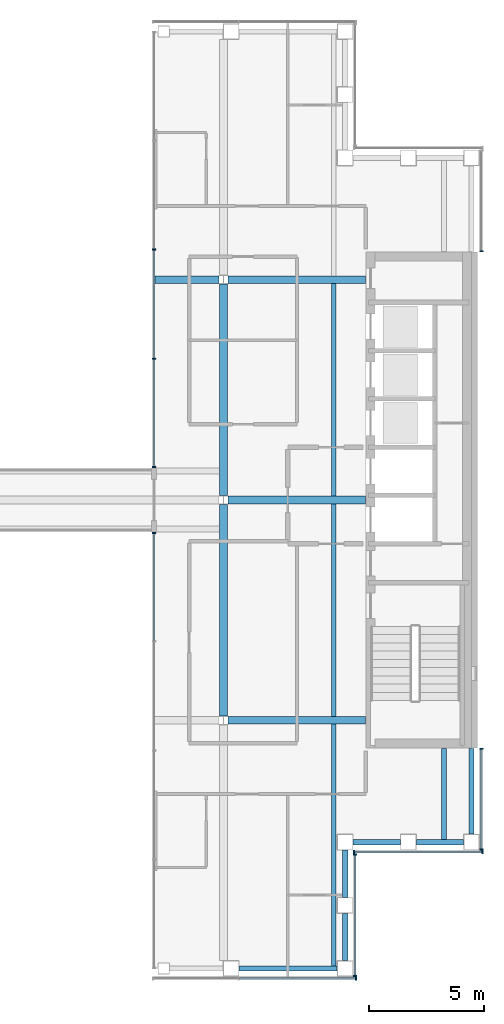
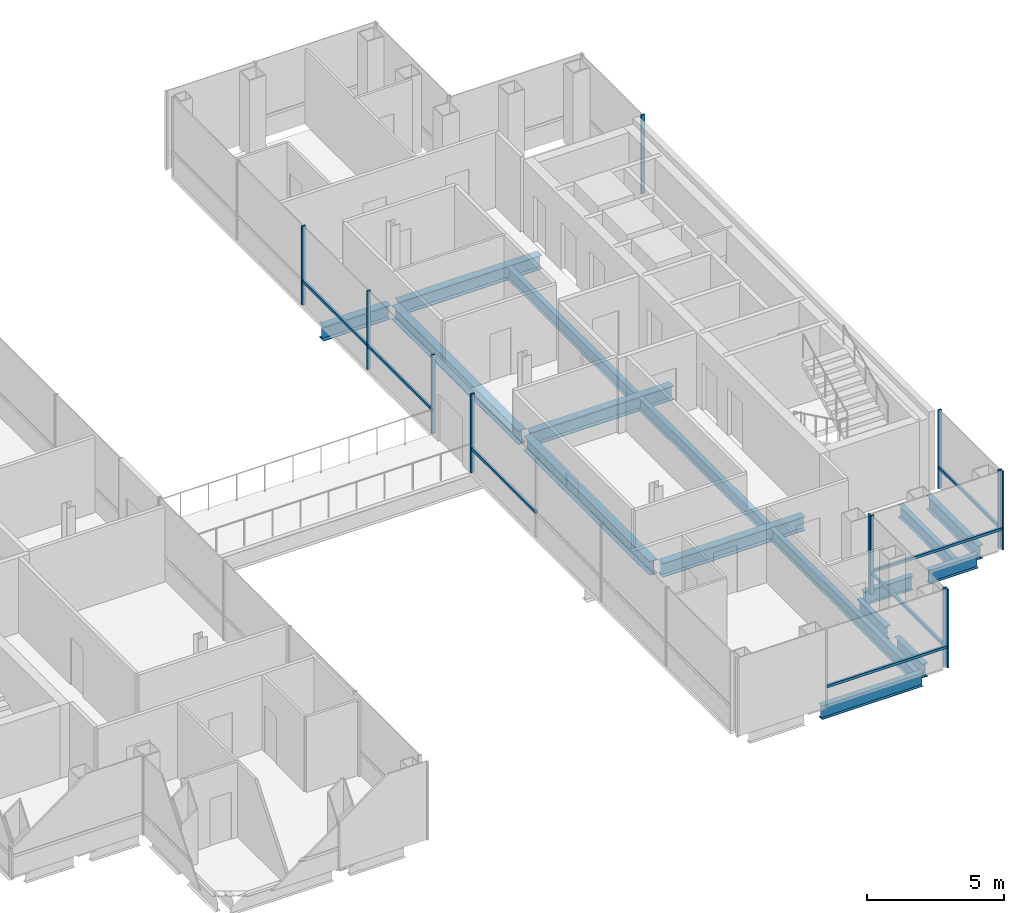
# One storey, part 6 of 15: 19 members, 16 beams, 7 elements without a shape of their own.
"""IFC4 building model written with IfcOpenShell, lengths in metres."""

from ifc_helpers import new_model, si_unit, direction, frame, origin, origin_2d, place, context, subcontext, project, spatial, rectangle, i_section, extrude, material, material_profile, profile_set, type_object, element, aggregate, save


model = new_model("IFC4")

# Units and contexts
model_context = context("Model", 3, precision=1e-05, world=origin(), true_north=direction((0.0, 1.0)))
body_context = subcontext(model_context, "Body", "Model", "MODEL_VIEW")
ifc_project = project(units=[si_unit("LENGTHUNIT", "METRE"), si_unit("AREAUNIT", "SQUARE_METRE"), si_unit("VOLUMEUNIT", "CUBIC_METRE"), si_unit("PLANEANGLEUNIT", "RADIAN"), si_unit("MASSUNIT", "GRAM", prefix="KILO")], contexts=[model_context])

# Site, building, storey
site_placement = place(None, origin())
site = spatial("IfcSite", under=ifc_project, at=site_placement, CompositionType="ELEMENT")
building_placement = place(site_placement, origin())
building = spatial("IfcBuilding", under=site, at=building_placement, Name="Cobrizo Arcos Hotel Tower", CompositionType="ELEMENT")
storey_placement = place(building_placement, frame((0.0, 0.0, 222.5)))
storey = spatial("IfcBuildingStorey", under=building, at=storey_placement, Name="L58", CompositionType="ELEMENT", Elevation=222.5)

# Curtain wall, member
ifc_material_1 = material(Name="Aluminium 6063-T6 anodised bronze", Category="aluminium")
curtain_wall_type_1 = type_object("IfcCurtainWallType", Name="CW-A guest facade", PredefinedType="NOTDEFINED", material=ifc_material_1)
curtain_wall_1_placement = place(storey_placement, origin())
curtain_wall_1 = element("IfcCurtainWall", 1, at=curtain_wall_1_placement, inside=storey, type_object=curtain_wall_type_1, Name="CW-A L58 S face", PredefinedType="NOTDEFINED")
ifc_material_profile_1 = material_profile(ifc_material_1, rectangle(XDim=0.14990234375, YDim=0.06005859375, at=origin_2d()), Name="CW-A mullion 150x60")
ifc_profile_set_1 = profile_set([ifc_material_profile_1], Name="Aluminium 6063-T6 anodised bronze")
member_type_1 = type_object("IfcMemberType", Name="CW-A mullion 150x60", PredefinedType="MULLION", material=ifc_profile_set_1)
member_1_placement = place(storey_placement, frame((15.3701171875, -20.824951171875, 0.0), z_axis=(0.0, 0.0, 1.0), x_axis=(0.0, -1.0, 0.0)))
member_1 = element("IfcMember", 2, at=member_1_placement, type_object=member_type_1, Name="CW-A mullion 3", PredefinedType="MULLION", context=body_context, shape_type="SweptSolid", body=[
    extrude(rectangle(XDim=0.14990234375, YDim=0.06005859375, at=origin_2d()), origin(), (0.0, 0.0, 1.0), 3.5),
])

# Curtain wall, members
curtain_wall_2_placement = place(storey_placement, origin())
curtain_wall_2 = element("IfcCurtainWall", 3, at=curtain_wall_2_placement, inside=storey, type_object=curtain_wall_type_1, Name="CW-A L58 E face", PredefinedType="NOTDEFINED")
member_2_placement = place(storey_placement, frame((15.324951171875, -20.719970703125, 0.0), z_axis=(0.0, 0.0, 1.0), x_axis=(1.0, 0.0, 0.0)))
member_2 = element("IfcMember", 4, at=member_2_placement, type_object=member_type_1, Name="CW-A mullion 1", PredefinedType="MULLION", context=body_context, shape_type="SweptSolid", body=[
    extrude(rectangle(XDim=0.14990234375, YDim=0.06005859375, at=origin_2d()), origin(), (0.0, 0.0, 1.0), 3.5),
])
member_3_placement = place(storey_placement, frame((15.324951171875, -15.429931640625, 0.0), z_axis=(0.0, 0.0, 1.0), x_axis=(1.0, 0.0, 0.0)))
member_3 = element("IfcMember", 5, at=member_3_placement, type_object=member_type_1, Name="CW-A mullion 2", PredefinedType="MULLION", context=body_context, shape_type="SweptSolid", body=[
    extrude(rectangle(XDim=0.14990234375, YDim=0.06005859375, at=origin_2d()), origin(), (0.0, 0.0, 1.0), 3.5),
])

curtain_wall_3_placement = place(storey_placement, origin())
curtain_wall_3 = element("IfcCurtainWall", 6, at=curtain_wall_3_placement, inside=storey, type_object=curtain_wall_type_1, Name="CW-A L58 S face", PredefinedType="NOTDEFINED")
member_4_placement = place(storey_placement, frame((15.280029296875, -15.324951171875, 0.0), z_axis=(0.0, 0.0, 1.0), x_axis=(0.0, -1.0, 0.0)))
member_4 = element("IfcMember", 7, at=member_4_placement, type_object=member_type_1, Name="CW-A mullion 1", PredefinedType="MULLION", context=body_context, shape_type="SweptSolid", body=[
    extrude(rectangle(XDim=0.14990234375, YDim=0.06005859375, at=origin_2d()), origin(), (0.0, 0.0, 1.0), 3.5),
])
member_5_placement = place(storey_placement, frame((20.8701171875, -15.324951171875, 0.0), z_axis=(0.0, 0.0, 1.0), x_axis=(0.0, -1.0, 0.0)))
member_5 = element("IfcMember", 8, at=member_5_placement, type_object=member_type_1, Name="CW-A mullion 2", PredefinedType="MULLION", context=body_context, shape_type="SweptSolid", body=[
    extrude(rectangle(XDim=0.14990234375, YDim=0.06005859375, at=origin_2d()), origin(), (0.0, 0.0, 1.0), 3.5),
])

curtain_wall_4_placement = place(storey_placement, origin())
curtain_wall_4 = element("IfcCurtainWall", 9, at=curtain_wall_4_placement, inside=storey, type_object=curtain_wall_type_1, Name="CW-A L58 E face", PredefinedType="NOTDEFINED")
member_6_placement = place(storey_placement, frame((20.824951171875, -15.219970703125, 0.0), z_axis=(0.0, 0.0, 1.0), x_axis=(1.0, 0.0, 0.0)))
member_6 = element("IfcMember", 10, at=member_6_placement, type_object=member_type_1, Name="CW-A mullion 1", PredefinedType="MULLION", context=body_context, shape_type="SweptSolid", body=[
    extrude(rectangle(XDim=0.14990234375, YDim=0.06005859375, at=origin_2d()), origin(), (0.0, 0.0, 1.0), 3.5),
])
member_7_placement = place(storey_placement, frame((20.824951171875, -10.830078125, 0.0), z_axis=(0.0, 0.0, 1.0), x_axis=(1.0, 0.0, 0.0)))
member_7 = element("IfcMember", 11, at=member_7_placement, type_object=member_type_1, Name="CW-A mullion 2", PredefinedType="MULLION", context=body_context, shape_type="SweptSolid", body=[
    extrude(rectangle(XDim=0.14990234375, YDim=0.06005859375, at=origin_2d()), origin(), (0.0, 0.0, 1.0), 3.5),
])

# Curtain wall, member
curtain_wall_5_placement = place(storey_placement, origin())
curtain_wall_5 = element("IfcCurtainWall", 12, at=curtain_wall_5_placement, inside=storey, type_object=curtain_wall_type_1, Name="CW-A L58 E face", PredefinedType="NOTDEFINED")
member_8_placement = place(storey_placement, frame((20.824951171875, 10.830078125, 0.0), z_axis=(0.0, 0.0, 1.0), x_axis=(1.0, 0.0, 0.0)))
member_8 = element("IfcMember", 13, at=member_8_placement, type_object=member_type_1, Name="CW-A mullion 1", PredefinedType="MULLION", context=body_context, shape_type="SweptSolid", body=[
    extrude(rectangle(XDim=0.14990234375, YDim=0.06005859375, at=origin_2d()), origin(), (0.0, 0.0, 1.0), 3.5),
])
aggregate(curtain_wall_5, [member_8])

# Member
ifc_material_profile_2 = material_profile(ifc_material_1, rectangle(XDim=0.10009765625, YDim=0.1201171875, at=origin_2d()), Name="CW-A transom 120x100")
ifc_profile_set_2 = profile_set([ifc_material_profile_2], Name="Aluminium 6063-T6 anodised bronze")
member_type_2 = type_object("IfcMemberType", Name="CW-A transom 120x100", PredefinedType="USERDEFINED", material=ifc_profile_set_2)
member_9_placement = place(storey_placement, frame((10.296630859375, -20.824951171875, 0.929931640625), z_axis=(1.0, 0.0, 0.0), x_axis=(0.0, 1.0, 0.0)))
member_9 = element("IfcMember", 14, at=member_9_placement, type_object=member_type_2, Name="CW-A transom 1911", ObjectType="TRANSOM", PredefinedType="USERDEFINED", context=body_context, shape_type="SweptSolid", body=[
    extrude(rectangle(XDim=0.10009765625, YDim=0.1201171875, at=origin_2d()), origin(), (0.0, 0.0, 1.0), 5.04345703125),
])

aggregate(curtain_wall_1, [member_1, member_9])

member_10_placement = place(storey_placement, frame((15.324951171875, -20.68994140625, 0.929931640625), z_axis=(0.0, 1.0, 0.0), x_axis=(-1.0, 0.0, 0.0)))
member_10 = element("IfcMember", 15, at=member_10_placement, type_object=member_type_2, Name="CW-A transom 1912", ObjectType="TRANSOM", PredefinedType="USERDEFINED", context=body_context, shape_type="SweptSolid", body=[
    extrude(rectangle(XDim=0.10009765625, YDim=0.1201171875, at=origin_2d()), origin(), (0.0, 0.0, 1.0), 5.22998046875),
])

aggregate(curtain_wall_2, [member_2, member_3, member_10])

member_11_placement = place(storey_placement, frame((15.31005859375, -15.324951171875, 0.929931640625), z_axis=(1.0, 0.0, 0.0), x_axis=(0.0, 1.0, 0.0)))
member_11 = element("IfcMember", 16, at=member_11_placement, type_object=member_type_2, Name="CW-A transom 1913", ObjectType="TRANSOM", PredefinedType="USERDEFINED", context=body_context, shape_type="SweptSolid", body=[
    extrude(rectangle(XDim=0.10009765625, YDim=0.1201171875, at=origin_2d()), origin(), (0.0, 0.0, 1.0), 5.530029296875),
])

aggregate(curtain_wall_3, [member_4, member_5, member_11])

member_12_placement = place(storey_placement, frame((20.824951171875, -15.18994140625, 0.929931640625), z_axis=(0.0, 1.0, 0.0), x_axis=(-1.0, 0.0, 0.0)))
member_12 = element("IfcMember", 17, at=member_12_placement, type_object=member_type_2, Name="CW-A transom 1914", ObjectType="TRANSOM", PredefinedType="USERDEFINED", context=body_context, shape_type="SweptSolid", body=[
    extrude(rectangle(XDim=0.10009765625, YDim=0.1201171875, at=origin_2d()), origin(), (0.0, 0.0, 1.0), 4.329833984375),
])

aggregate(curtain_wall_4, [member_6, member_7, member_12])

# Curtain wall, member
curtain_wall_type_2 = type_object("IfcCurtainWallType", Name="CW-F void screen", PredefinedType="NOTDEFINED", material=ifc_material_1)
curtain_wall_6_placement = place(storey_placement, origin())
curtain_wall_6 = element("IfcCurtainWall", 18, at=curtain_wall_6_placement, inside=storey, type_object=curtain_wall_type_2, Name="CW-F L58 void screen C", PredefinedType="NOTDEFINED")
ifc_material_profile_3 = material_profile(ifc_material_1, rectangle(XDim=0.14990234375, YDim=0.06005859375, at=origin_2d()), Name="CW-F mullion 150x60")
ifc_profile_set_3 = profile_set([ifc_material_profile_3], Name="Aluminium 6063-T6 anodised bronze")
member_type_3 = type_object("IfcMemberType", Name="CW-F mullion 150x60", PredefinedType="MULLION", material=ifc_profile_set_3)
member_13_placement = place(storey_placement, frame((6.574951171875, -1.429931640625, 0.0), z_axis=(0.0, 0.0, 1.0), x_axis=(1.0, 0.0, 0.0)))
member_13 = element("IfcMember", 19, at=member_13_placement, type_object=member_type_3, Name="CW-F mullion 5", PredefinedType="MULLION", context=body_context, shape_type="SweptSolid", body=[
    extrude(rectangle(XDim=0.14990234375, YDim=0.06005859375, at=origin_2d()), origin(), (0.0, 0.0, 1.0), 3.5),
])

# Curtain wall, members
curtain_wall_7_placement = place(storey_placement, origin())
curtain_wall_7 = element("IfcCurtainWall", 20, at=curtain_wall_7_placement, inside=storey, type_object=curtain_wall_type_2, Name="CW-F L58 void screen C", PredefinedType="NOTDEFINED")
member_14_placement = place(storey_placement, frame((6.574951171875, 1.429931640625, 0.0), z_axis=(0.0, 0.0, 1.0), x_axis=(1.0, 0.0, 0.0)))
member_14 = element("IfcMember", 21, at=member_14_placement, type_object=member_type_3, Name="CW-F mullion 1", PredefinedType="MULLION", context=body_context, shape_type="SweptSolid", body=[
    extrude(rectangle(XDim=0.14990234375, YDim=0.06005859375, at=origin_2d()), origin(), (0.0, 0.0, 1.0), 3.5),
])
member_15_placement = place(storey_placement, frame((6.574951171875, 6.14990234375, 0.0), z_axis=(0.0, 0.0, 1.0), x_axis=(1.0, 0.0, 0.0)))
member_15 = element("IfcMember", 22, at=member_15_placement, type_object=member_type_3, Name="CW-F mullion 2", PredefinedType="MULLION", context=body_context, shape_type="SweptSolid", body=[
    extrude(rectangle(XDim=0.14990234375, YDim=0.06005859375, at=origin_2d()), origin(), (0.0, 0.0, 1.0), 3.5),
])
member_16_placement = place(storey_placement, frame((6.574951171875, 10.89990234375, 0.0), z_axis=(0.0, 0.0, 1.0), x_axis=(1.0, 0.0, 0.0)))
member_16 = element("IfcMember", 23, at=member_16_placement, type_object=member_type_3, Name="CW-F mullion 3", PredefinedType="MULLION", context=body_context, shape_type="SweptSolid", body=[
    extrude(rectangle(XDim=0.14990234375, YDim=0.06005859375, at=origin_2d()), origin(), (0.0, 0.0, 1.0), 3.5),
])

# Member
ifc_material_profile_4 = material_profile(ifc_material_1, rectangle(XDim=0.10009765625, YDim=0.1201171875, at=origin_2d()), Name="CW-F transom 120x100")
ifc_profile_set_4 = profile_set([ifc_material_profile_4], Name="Aluminium 6063-T6 anodised bronze")
member_type_4 = type_object("IfcMemberType", Name="CW-F transom 120x100", PredefinedType="USERDEFINED", material=ifc_profile_set_4)
member_17_placement = place(storey_placement, frame((6.574951171875, -6.1201171875, 1.050048828125), z_axis=(0.0, 1.0, 0.0), x_axis=(-1.0, 0.0, 0.0)))
member_17 = element("IfcMember", 24, at=member_17_placement, type_object=member_type_4, Name="CW-F transom 2703", ObjectType="TRANSOM", PredefinedType="USERDEFINED", context=body_context, shape_type="SweptSolid", body=[
    extrude(rectangle(XDim=0.10009765625, YDim=0.1201171875, at=origin_2d()), origin(), (0.0, 0.0, 1.0), 4.66015625),
])

aggregate(curtain_wall_6, [member_13, member_17])

member_18_placement = place(storey_placement, frame((6.574951171875, 1.4599609375, 1.050048828125), z_axis=(0.0, 1.0, 0.0), x_axis=(-1.0, 0.0, 0.0)))
member_18 = element("IfcMember", 25, at=member_18_placement, type_object=member_type_4, Name="CW-F transom 2704", ObjectType="TRANSOM", PredefinedType="USERDEFINED", context=body_context, shape_type="SweptSolid", body=[
    extrude(rectangle(XDim=0.10009765625, YDim=0.1201171875, at=origin_2d()), origin(), (0.0, 0.0, 1.0), 4.66015625),
])

member_19_placement = place(storey_placement, frame((6.574951171875, 6.179931640625, 1.050048828125), z_axis=(0.0, 1.0, 0.0), x_axis=(-1.0, 0.0, 0.0)))
member_19 = element("IfcMember", 26, at=member_19_placement, type_object=member_type_4, Name="CW-F transom 2705", ObjectType="TRANSOM", PredefinedType="USERDEFINED", context=body_context, shape_type="SweptSolid", body=[
    extrude(rectangle(XDim=0.10009765625, YDim=0.1201171875, at=origin_2d()), origin(), (0.0, 0.0, 1.0), 4.690185546875),
])

aggregate(curtain_wall_7, [member_14, member_15, member_16, member_18, member_19])

# Beams
ifc_material_2 = material(Name="Steel ASTM A992 Grade 50", Category="steel")
ifc_material_profile_5 = material_profile(ifc_material_2, i_section(OverallWidth=0.209228515625, OverallDepth=0.533447265625, WebThickness=0.01025390625, FlangeThickness=0.015625, at=origin_2d()), Name="W21X62")
ifc_profile_set_5 = profile_set([ifc_material_profile_5], Name="Steel ASTM A992 Grade 50")
beam_type_1 = type_object("IfcBeamType", Name="W21X62 joist", PredefinedType="JOIST", material=ifc_profile_set_5)
beam_1_placement = place(storey_placement, frame((14.39990234375, -20.31005859375, -0.416748046875), z_axis=(0.0, 1.0, 0.0), x_axis=(-1.0, 0.0, 0.0)))
element("IfcBeam", 27, at=beam_1_placement, inside=storey, type_object=beam_type_1, Name="Floor joist J1, L58, no. 007", PredefinedType="JOIST", context=body_context, shape_type="SweptSolid", body=[
    extrude(i_section(OverallWidth=0.209228515625, OverallDepth=0.533447265625, WebThickness=0.01025390625, FlangeThickness=0.015625, at=origin_2d()), origin(), (0.0, 0.0, 1.0), 10.546142578125),
])
for number, where, z_axis, x_axis, name in (
    (28, (14.39990234375, -9.43603515625, -0.416748046875), (0.0, 1.0, 0.0), (-1.0, 0.0, 0.0), "Floor joist J1, L58, no. 008"),
    (29, (14.39990234375, 0.163818359375, -0.416748046875), (0.0, 1.0, 0.0), (-1.0, 0.0, 0.0), "Floor joist J1, L58, no. 009"),
):
    element("IfcBeam", number, at=place(storey_placement, frame(where, z_axis=z_axis, x_axis=x_axis)), inside=storey, type_object=beam_type_1, Name=name, PredefinedType="JOIST", context=body_context, shape_type="SweptSolid", body=[
        extrude(i_section(OverallWidth=0.209228515625, OverallDepth=0.533447265625, WebThickness=0.01025390625, FlangeThickness=0.015625, at=origin_2d()), origin(), (0.0, 0.0, 1.0), 9.272216796875),
    ])
beam_2_placement = place(storey_placement, frame((19.199951171875, -14.81005859375, -0.416748046875), z_axis=(0.0, 1.0, 0.0), x_axis=(-1.0, 0.0, 0.0)))
element("IfcBeam", 30, at=beam_2_placement, inside=storey, type_object=beam_type_1, Name="Floor joist J1, L58, no. 011", PredefinedType="JOIST", context=body_context, shape_type="SweptSolid", body=[
    extrude(i_section(OverallWidth=0.209228515625, OverallDepth=0.533447265625, WebThickness=0.01025390625, FlangeThickness=0.015625, at=origin_2d()), origin(), (0.0, 0.0, 1.0), 4.0),
])
ifc_material_profile_6 = material_profile(ifc_material_2, i_section(OverallWidth=0.32763671875, OverallDepth=0.622314453125, WebThickness=0.015380859375, FlangeThickness=0.0244140625, at=origin_2d()), Name="W24X131")
ifc_profile_set_6 = profile_set([ifc_material_profile_6], Name="Steel ASTM A992 Grade 50")
beam_type_2 = type_object("IfcBeamType", Name="W24X131 girder", PredefinedType="BEAM", material=ifc_profile_set_6)
for number, where, z_axis, x_axis, name in (
    (31, (9.78662109375, -9.60009765625, -0.461181640625), (1.0, 0.0, 0.0), (0.0, 1.0, 0.0), "Floor girder G1, L58, no. 004"),
    (32, (9.78662109375, 0.0, -0.461181640625), (1.0, 0.0, 0.0), (0.0, 1.0, 0.0), "Floor girder G1, L58, no. 007"),
):
    element("IfcBeam", number, at=place(storey_placement, frame(where, z_axis=z_axis, x_axis=x_axis)), inside=storey, type_object=beam_type_2, Name=name, PredefinedType="BEAM", context=body_context, shape_type="SweptSolid", body=[
        extrude(i_section(OverallWidth=0.32763671875, OverallDepth=0.622314453125, WebThickness=0.015380859375, FlangeThickness=0.0244140625, at=origin_2d()), origin(), (0.0, 0.0, 1.0), 6.00341796875),
    ])
beam_3_placement = place(storey_placement, frame((6.590087890625, 9.60009765625, -0.461181640625), z_axis=(1.0, 0.0, 0.0), x_axis=(0.0, 1.0, 0.0)))
element("IfcBeam", 33, at=beam_3_placement, inside=storey, type_object=beam_type_2, Name="Floor girder G1, L58, no. 010", PredefinedType="BEAM", context=body_context, shape_type="SweptSolid", body=[
    extrude(i_section(OverallWidth=0.32763671875, OverallDepth=0.622314453125, WebThickness=0.015380859375, FlangeThickness=0.0244140625, at=origin_2d()), origin(), (0.0, 0.0, 1.0), 2.8232421875),
])
beam_4_placement = place(storey_placement, frame((9.78662109375, 9.60009765625, -0.461181640625), z_axis=(1.0, 0.0, 0.0), x_axis=(0.0, 1.0, 0.0)))
element("IfcBeam", 34, at=beam_4_placement, inside=storey, type_object=beam_type_2, Name="Floor girder G1, L58, no. 011", PredefinedType="BEAM", context=body_context, shape_type="SweptSolid", body=[
    extrude(i_section(OverallWidth=0.32763671875, OverallDepth=0.622314453125, WebThickness=0.015380859375, FlangeThickness=0.0244140625, at=origin_2d()), origin(), (0.0, 0.0, 1.0), 6.00341796875),
])
for number, where, z_axis, x_axis, name in (
    (35, (9.60009765625, -9.413330078125, -0.461181640625), (0.0, 1.0, 0.0), (-1.0, 0.0, 0.0), "Floor girder G1, L58, no. 017"),
    (36, (9.60009765625, 0.186767578125, -0.461181640625), (0.0, 1.0, 0.0), (-1.0, 0.0, 0.0), "Floor girder G1, L58, no. 018"),
):
    element("IfcBeam", number, at=place(storey_placement, frame(where, z_axis=z_axis, x_axis=x_axis)), inside=storey, type_object=beam_type_2, Name=name, PredefinedType="BEAM", context=body_context, shape_type="SweptSolid", body=[
        extrude(i_section(OverallWidth=0.32763671875, OverallDepth=0.622314453125, WebThickness=0.015380859375, FlangeThickness=0.0244140625, at=origin_2d()), origin(), (0.0, 0.0, 1.0), 9.2265625),
    ])
ifc_material_profile_7 = material_profile(ifc_material_2, i_section(OverallWidth=0.228271484375, OverallDepth=0.607177734375, WebThickness=0.01123046875, FlangeThickness=0.017333984375, at=origin_2d()), Name="W24X76")
ifc_profile_set_7 = profile_set([ifc_material_profile_7], Name="Steel ASTM A992 Grade 50")
beam_type_3 = type_object("IfcBeamType", Name="W24X76 spandrel", PredefinedType="SPANDREL", material=ifc_profile_set_7)
beam_5_placement = place(storey_placement, frame((20.39990234375, -10.81005859375, -0.45361328125), z_axis=(0.0, -1.0, 0.0), x_axis=(1.0, 0.0, 0.0)))
element("IfcBeam", 37, at=beam_5_placement, inside=storey, type_object=beam_type_3, Name="Spandrel beam W24X76, L58, no. 004", PredefinedType="SPANDREL", context=body_context, shape_type="SweptSolid", body=[
    extrude(i_section(OverallWidth=0.228271484375, OverallDepth=0.607177734375, WebThickness=0.01123046875, FlangeThickness=0.017333984375, at=origin_2d()), origin(), (0.0, 0.0, 1.0), 3.739990234375),
])
for number, where, z_axis, x_axis, name in (
    (38, (20.050048828125, -14.89990234375, -0.45361328125), (-1.0, 0.0, 0.0), (0.0, -1.0, 0.0), "Spandrel beam W24X76, L58, no. 005"),
    (39, (17.300048828125, -14.89990234375, -0.45361328125), (-1.0, 0.0, 0.0), (0.0, -1.0, 0.0), "Spandrel beam W24X76, L58, no. 006"),
    (40, (14.89990234375, -15.25, -0.45361328125), (0.0, -1.0, 0.0), (1.0, 0.0, 0.0), "Spandrel beam W24X76, L58, no. 007"),
    (41, (14.89990234375, -18.0, -0.45361328125), (0.0, -1.0, 0.0), (1.0, 0.0, 0.0), "Spandrel beam W24X76, L58, no. 008"),
):
    element("IfcBeam", number, at=place(storey_placement, frame(where, z_axis=z_axis, x_axis=x_axis)), inside=storey, type_object=beam_type_3, Name=name, PredefinedType="SPANDREL", context=body_context, shape_type="SweptSolid", body=[
        extrude(i_section(OverallWidth=0.228271484375, OverallDepth=0.607177734375, WebThickness=0.01123046875, FlangeThickness=0.017333984375, at=origin_2d()), origin(), (0.0, 0.0, 1.0), 2.050048828125),
    ])
beam_6_placement = place(storey_placement, frame((14.550048828125, -20.39990234375, -0.45361328125), z_axis=(-1.0, 0.0, 0.0), x_axis=(0.0, -1.0, 0.0)))
element("IfcBeam", 42, at=beam_6_placement, inside=storey, type_object=beam_type_3, Name="Spandrel beam W24X76, L58, no. 009", PredefinedType="SPANDREL", context=body_context, shape_type="SweptSolid", body=[
    extrude(i_section(OverallWidth=0.228271484375, OverallDepth=0.607177734375, WebThickness=0.01123046875, FlangeThickness=0.017333984375, at=origin_2d()), origin(), (0.0, 0.0, 1.0), 4.26708984375),
])

save(model, "model.ifc")
